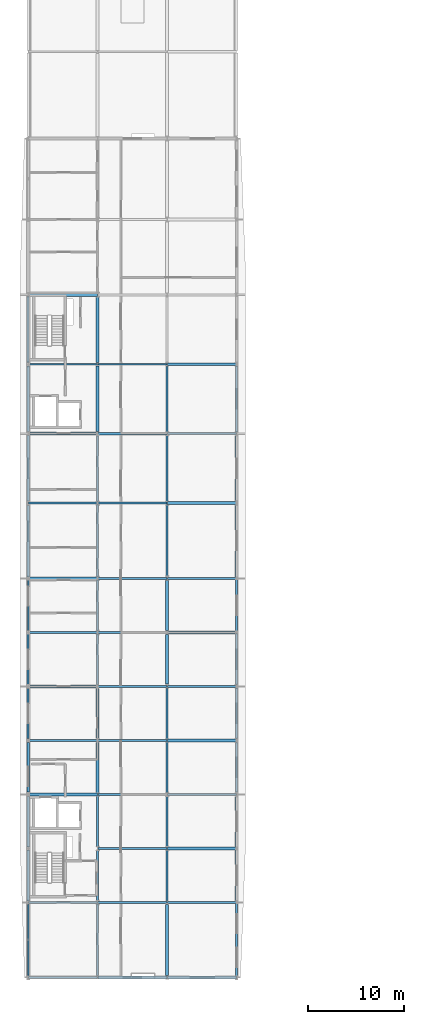
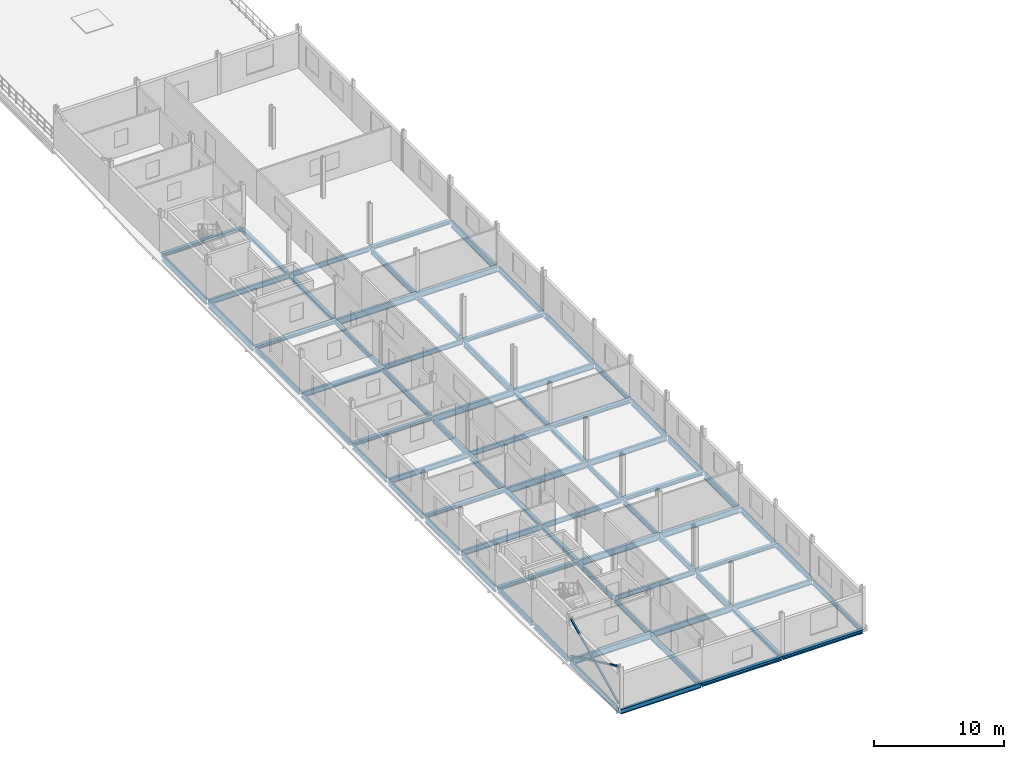
# One storey, part 4 of 17: 75 beams, 3 members.
"""IFC4 building model written with IfcOpenShell, lengths in metres."""

from ifc_helpers import new_model, si_unit, direction, frame, origin, origin_2d, place, context, subcontext, project, spatial, hollow_rectangle, i_section, extrude, material, material_profile, profile_set, type_object, element, save


model = new_model("IFC4")

# Units and contexts
model_context = context("Model", 3, precision=1e-05, world=origin(), true_north=direction((0.0, 1.0)))
body_context = subcontext(model_context, "Body", "Model", "MODEL_VIEW")
ifc_project = project(units=[si_unit("LENGTHUNIT", "METRE"), si_unit("AREAUNIT", "SQUARE_METRE"), si_unit("VOLUMEUNIT", "CUBIC_METRE"), si_unit("PLANEANGLEUNIT", "RADIAN"), si_unit("MASSUNIT", "GRAM", prefix="KILO")], contexts=[model_context])

# Site, building, storey
site_placement = place(None, origin())
site = spatial("IfcSite", under=ifc_project, at=site_placement, CompositionType="ELEMENT")
building_placement = place(site_placement, origin())
building = spatial("IfcBuilding", under=site, at=building_placement, Name="Vinh Khe Railworks Police Headquarters", CompositionType="ELEMENT")
storey_placement = place(building_placement, frame((0.0, 0.0, 24.89990234375)))
storey = spatial("IfcBuildingStorey", under=building, at=storey_placement, Name="L06", CompositionType="ELEMENT", Elevation=24.89990234375)

# Members
ifc_material = material(Name="Steel S355JR", Category="steel")
ifc_material_profile_1 = material_profile(ifc_material, hollow_rectangle(XDim=0.139892578125, YDim=0.139892578125, WallThickness=0.008056640625, at=origin_2d()), Name="SHS 140x140x8")
ifc_profile_set_1 = profile_set([ifc_material_profile_1], Name="Steel S355JR")
member_type = type_object("IfcMemberType", Name="Concentric Brace SHS 140x140x8", PredefinedType="BRACE", material=ifc_profile_set_1)
member_placement = place(storey_placement, frame((0.60009765625, 17.625, 0.2001953125), z_axis=(0.0, 0.90342581024, 0.428744452317), x_axis=(-1.0, 0.0, 0.0)))
element("IfcMember", 1, at=member_placement, inside=storey, type_object=member_type, Name="Continuous Concentric Brace MEM-BR-L06-BR-06-019", PredefinedType="BRACE", context=body_context, shape_type="SweptSolid", body=[
    extrude(hollow_rectangle(XDim=0.139892578125, YDim=0.139892578125, WallThickness=0.008056640625, at=origin_2d()), origin(), (0.0, 0.0, 1.0), 8.163330078125),
])
for number, where, z_axis, x_axis, name in (
    (2, (0.60009765625, 17.625, 3.7001953125), (0.0, 0.903399020794, -0.428800896954), (-1.0, 0.0, 0.0), "Split X-Brace Segment MEM-BR-L06-BR-06-020 (2A)"),
    (3, (0.60009765625, 21.37841796875, 1.9189453125), (0.0, 0.903422611602, -0.428751192239), (-1.0, 0.0, 0.0), "Split X-Brace Segment MEM-BR-L06-BR-06-021 (2B)"),
):
    element("IfcMember", number, at=place(storey_placement, frame(where, z_axis=z_axis, x_axis=x_axis)), inside=storey, type_object=member_type, Name=name, PredefinedType="BRACE", context=body_context, shape_type="SweptSolid", body=[
        extrude(hollow_rectangle(XDim=0.139892578125, YDim=0.139892578125, WallThickness=0.008056640625, at=origin_2d()), origin(), (0.0, 0.0, 1.0), 4.0087890625),
    ])

# Beams
ifc_material_profile_2 = material_profile(ifc_material, i_section(OverallWidth=0.300048828125, OverallDepth=0.330078125, WebThickness=0.009521484375, FlangeThickness=0.0166015625, FilletRadius=0.027099609375, at=origin_2d()), Name="HEA 340")
ifc_profile_set_2 = profile_set([ifc_material_profile_2], Name="Steel S355JR")
beam_type_1 = type_object("IfcBeamType", Name="Steel Girder HEA 340", PredefinedType="BEAM", material=ifc_profile_set_2)
for number, where, z_axis, x_axis, name in (
    (4, (15.02001953125, 17.39990234375, -0.364990234375), (1.0, 0.0, 0.0), (0.0, 1.0, 0.0), "Girder BM-L06-EW-SB-16-1670"),
    (5, (0.6201171875, 36.39990234375, -0.364990234375), (1.0, 0.0, 0.0), (0.0, 1.0, 0.0), "Girder BM-L06-EW-SB-16-1676"),
    (6, (0.6201171875, 47.60009765625, -0.364990234375), (1.0, 0.0, 0.0), (0.0, 1.0, 0.0), "Girder BM-L06-EW-SB-16-1682"),
    (7, (0.6201171875, 58.800048828125, -0.364990234375), (1.0, 0.0, 0.0), (0.0, 1.0, 0.0), "Girder BM-L06-EW-SB-16-1688"),
    (8, (0.6201171875, 73.800048828125, -0.364990234375), (1.0, 0.0, 0.0), (0.0, 1.0, 0.0), "Girder BM-L06-EW-SB-16-1694"),
    (9, (0.6201171875, 88.199951171875, -0.364990234375), (1.0, 0.0, 0.0), (0.0, 1.0, 0.0), "Girder BM-L06-EW-SB-16-1700"),
):
    element("IfcBeam", number, at=place(storey_placement, frame(where, z_axis=z_axis, x_axis=x_axis)), inside=storey, type_object=beam_type_1, Name=name, PredefinedType="BEAM", context=body_context, shape_type="SweptSolid", body=[
        extrude(i_section(OverallWidth=0.300048828125, OverallDepth=0.330078125, WebThickness=0.009521484375, FlangeThickness=0.0166015625, FilletRadius=0.027099609375, at=origin_2d()), origin(), (0.0, 0.0, 1.0), 7.159912109375),
    ])
beam_1_placement = place(storey_placement, frame((0.60009765625, 30.949951171875, -0.364990234375), z_axis=(0.0, 1.0, 0.0), x_axis=(-1.0, 0.0, 0.0)))
element("IfcBeam", 10, at=beam_1_placement, inside=storey, type_object=beam_type_1, Name="Girder BM-L06-NS-SB-16-1748", PredefinedType="BEAM", context=body_context, shape_type="SweptSolid", body=[
    extrude(i_section(OverallWidth=0.300048828125, OverallDepth=0.330078125, WebThickness=0.009521484375, FlangeThickness=0.0166015625, FilletRadius=0.027099609375, at=origin_2d()), origin(), (0.0, 0.0, 1.0), 5.219970703125),
])
beam_2_placement = place(storey_placement, frame((0.60009765625, 66.830078125, -0.364990234375), z_axis=(0.0, 1.0, 0.0), x_axis=(-1.0, 0.0, 0.0)))
element("IfcBeam", 11, at=beam_2_placement, inside=storey, type_object=beam_type_1, Name="Girder BM-L06-NS-SB-16-1754", PredefinedType="BEAM", context=body_context, shape_type="SweptSolid", body=[
    extrude(i_section(OverallWidth=0.300048828125, OverallDepth=0.330078125, WebThickness=0.009521484375, FlangeThickness=0.0166015625, FilletRadius=0.027099609375, at=origin_2d()), origin(), (0.0, 0.0, 1.0), 6.764892578125),
])
beam_3_placement = place(storey_placement, frame((7.800048828125, 42.22998046875, -0.364990234375), z_axis=(0.0, 1.0, 0.0), x_axis=(-1.0, 0.0, 0.0)))
element("IfcBeam", 12, at=beam_3_placement, inside=storey, type_object=beam_type_1, Name="Girder BM-L06-NS-SB-16-1766", PredefinedType="BEAM", context=body_context, shape_type="SweptSolid", body=[
    extrude(i_section(OverallWidth=0.300048828125, OverallDepth=0.330078125, WebThickness=0.009521484375, FlangeThickness=0.0166015625, FilletRadius=0.027099609375, at=origin_2d()), origin(), (0.0, 0.0, 1.0), 5.1650390625),
])
beam_4_placement = place(storey_placement, frame((7.800048828125, 81.205078125, -0.364990234375), z_axis=(0.0, 1.0, 0.0), x_axis=(-1.0, 0.0, 0.0)))
element("IfcBeam", 13, at=beam_4_placement, inside=storey, type_object=beam_type_1, Name="Girder BM-L06-NS-SB-16-1772", PredefinedType="BEAM", context=body_context, shape_type="SweptSolid", body=[
    extrude(i_section(OverallWidth=0.300048828125, OverallDepth=0.330078125, WebThickness=0.009521484375, FlangeThickness=0.0166015625, FilletRadius=0.027099609375, at=origin_2d()), origin(), (0.0, 0.0, 1.0), 6.81494140625),
])
beam_5_placement = place(storey_placement, frame((15.0, 17.6298828125, -0.364990234375), z_axis=(0.0, 1.0, 0.0), x_axis=(-1.0, 0.0, 0.0)))
element("IfcBeam", 14, at=beam_5_placement, inside=storey, type_object=beam_type_1, Name="Girder BM-L06-NS-SB-16-1778", PredefinedType="BEAM", context=body_context, shape_type="SweptSolid", body=[
    extrude(i_section(OverallWidth=0.300048828125, OverallDepth=0.330078125, WebThickness=0.009521484375, FlangeThickness=0.0166015625, FilletRadius=0.027099609375, at=origin_2d()), origin(), (0.0, 0.0, 1.0), 7.365234375),
])
beam_6_placement = place(storey_placement, frame((15.0, 53.405029296875, -0.364990234375), z_axis=(0.0, 1.0, 0.0), x_axis=(-1.0, 0.0, 0.0)))
element("IfcBeam", 15, at=beam_6_placement, inside=storey, type_object=beam_type_1, Name="Girder BM-L06-NS-SB-16-1784", PredefinedType="BEAM", context=body_context, shape_type="SweptSolid", body=[
    extrude(i_section(OverallWidth=0.300048828125, OverallDepth=0.330078125, WebThickness=0.009521484375, FlangeThickness=0.0166015625, FilletRadius=0.027099609375, at=origin_2d()), origin(), (0.0, 0.0, 1.0), 5.215087890625),
])
beam_7_placement = place(storey_placement, frame((22.199951171875, 30.909912109375, -0.364990234375), z_axis=(0.0, 1.0, 0.0), x_axis=(-1.0, 0.0, 0.0)))
element("IfcBeam", 16, at=beam_7_placement, inside=storey, type_object=beam_type_1, Name="Girder BM-L06-NS-SB-16-1796", PredefinedType="BEAM", context=body_context, shape_type="SweptSolid", body=[
    extrude(i_section(OverallWidth=0.300048828125, OverallDepth=0.330078125, WebThickness=0.009521484375, FlangeThickness=0.0166015625, FilletRadius=0.027099609375, at=origin_2d()), origin(), (0.0, 0.0, 1.0), 5.26513671875),
])
beam_8_placement = place(storey_placement, frame((22.199951171875, 66.824951171875, -0.364990234375), z_axis=(0.0, 1.0, 0.0), x_axis=(-1.0, 0.0, 0.0)))
element("IfcBeam", 17, at=beam_8_placement, inside=storey, type_object=beam_type_1, Name="Girder BM-L06-NS-SB-16-1802", PredefinedType="BEAM", context=body_context, shape_type="SweptSolid", body=[
    extrude(i_section(OverallWidth=0.300048828125, OverallDepth=0.330078125, WebThickness=0.009521484375, FlangeThickness=0.0166015625, FilletRadius=0.027099609375, at=origin_2d()), origin(), (0.0, 0.0, 1.0), 6.775146484375),
])
ifc_material_profile_3 = material_profile(ifc_material, i_section(OverallWidth=0.300048828125, OverallDepth=0.35009765625, WebThickness=0.010009765625, FlangeThickness=0.017578125, FilletRadius=0.027099609375, at=origin_2d()), Name="HEA 360")
ifc_profile_set_3 = profile_set([ifc_material_profile_3], Name="Steel S355JR")
beam_type_2 = type_object("IfcBeamType", Name="Steel Girder HEA 360", PredefinedType="BEAM", material=ifc_profile_set_3)
for number, where, z_axis, x_axis, name in (
    (18, (7.820068359375, 17.39990234375, -0.375), (1.0, 0.0, 0.0), (0.0, 1.0, 0.0), "Girder BM-L06-EW-SB-15-1669"),
    (19, (15.02001953125, 30.800048828125, -0.375), (1.0, 0.0, 0.0), (0.0, 1.0, 0.0), "Girder BM-L06-EW-SB-15-1675"),
    (20, (15.02001953125, 42.0, -0.375), (1.0, 0.0, 0.0), (0.0, 1.0, 0.0), "Girder BM-L06-EW-SB-15-1681"),
    (21, (15.02001953125, 53.199951171875, -0.375), (1.0, 0.0, 0.0), (0.0, 1.0, 0.0), "Girder BM-L06-EW-SB-15-1687"),
    (22, (15.02001953125, 66.60009765625, -0.375), (1.0, 0.0, 0.0), (0.0, 1.0, 0.0), "Girder BM-L06-EW-SB-15-1693"),
    (23, (15.02001953125, 81.0, -0.375), (1.0, 0.0, 0.0), (0.0, 1.0, 0.0), "Girder BM-L06-EW-SB-15-1699"),
):
    element("IfcBeam", number, at=place(storey_placement, frame(where, z_axis=z_axis, x_axis=x_axis)), inside=storey, type_object=beam_type_2, Name=name, PredefinedType="BEAM", context=body_context, shape_type="SweptSolid", body=[
        extrude(i_section(OverallWidth=0.300048828125, OverallDepth=0.35009765625, WebThickness=0.010009765625, FlangeThickness=0.017578125, FilletRadius=0.027099609375, at=origin_2d()), origin(), (0.0, 0.0, 1.0), 7.159912109375),
    ])
beam_9_placement = place(storey_placement, frame((0.60009765625, 25.360107421875, -0.375), z_axis=(0.0, 1.0, 0.0), x_axis=(-1.0, 0.0, 0.0)))
element("IfcBeam", 24, at=beam_9_placement, inside=storey, type_object=beam_type_2, Name="Girder BM-L06-NS-SB-15-1747", PredefinedType="BEAM", context=body_context, shape_type="SweptSolid", body=[
    extrude(i_section(OverallWidth=0.300048828125, OverallDepth=0.35009765625, WebThickness=0.010009765625, FlangeThickness=0.017578125, FilletRadius=0.027099609375, at=origin_2d()), origin(), (0.0, 0.0, 1.0), 5.289794921875),
])
beam_10_placement = place(storey_placement, frame((0.60009765625, 58.949951171875, -0.375), z_axis=(0.0, 1.0, 0.0), x_axis=(-1.0, 0.0, 0.0)))
element("IfcBeam", 25, at=beam_10_placement, inside=storey, type_object=beam_type_2, Name="Girder BM-L06-NS-SB-15-1753", PredefinedType="BEAM", context=body_context, shape_type="SweptSolid", body=[
    extrude(i_section(OverallWidth=0.300048828125, OverallDepth=0.35009765625, WebThickness=0.010009765625, FlangeThickness=0.017578125, FilletRadius=0.027099609375, at=origin_2d()), origin(), (0.0, 0.0, 1.0), 7.420166015625),
])
beam_11_placement = place(storey_placement, frame((7.800048828125, 36.550048828125, -0.375), z_axis=(0.0, 1.0, 0.0), x_axis=(-1.0, 0.0, 0.0)))
element("IfcBeam", 26, at=beam_11_placement, inside=storey, type_object=beam_type_2, Name="Girder BM-L06-NS-SB-15-1765", PredefinedType="BEAM", context=body_context, shape_type="SweptSolid", body=[
    extrude(i_section(OverallWidth=0.300048828125, OverallDepth=0.35009765625, WebThickness=0.010009765625, FlangeThickness=0.017578125, FilletRadius=0.027099609375, at=origin_2d()), origin(), (0.0, 0.0, 1.0), 5.219970703125),
])
beam_12_placement = place(storey_placement, frame((7.800048828125, 74.030029296875, -0.375), z_axis=(0.0, 1.0, 0.0), x_axis=(-1.0, 0.0, 0.0)))
element("IfcBeam", 27, at=beam_12_placement, inside=storey, type_object=beam_type_2, Name="Girder BM-L06-NS-SB-15-1771", PredefinedType="BEAM", context=body_context, shape_type="SweptSolid", body=[
    extrude(i_section(OverallWidth=0.300048828125, OverallDepth=0.35009765625, WebThickness=0.010009765625, FlangeThickness=0.017578125, FilletRadius=0.027099609375, at=origin_2d()), origin(), (0.0, 0.0, 1.0), 6.764892578125),
])
beam_13_placement = place(storey_placement, frame((15.0, 47.830078125, -0.375), z_axis=(0.0, 1.0, 0.0), x_axis=(-1.0, 0.0, 0.0)))
element("IfcBeam", 28, at=beam_13_placement, inside=storey, type_object=beam_type_2, Name="Girder BM-L06-NS-SB-15-1783", PredefinedType="BEAM", context=body_context, shape_type="SweptSolid", body=[
    extrude(i_section(OverallWidth=0.300048828125, OverallDepth=0.35009765625, WebThickness=0.010009765625, FlangeThickness=0.017578125, FilletRadius=0.027099609375, at=origin_2d()), origin(), (0.0, 0.0, 1.0), 5.1650390625),
])
beam_14_placement = place(storey_placement, frame((22.199951171875, 25.330078125, -0.375), z_axis=(0.0, 1.0, 0.0), x_axis=(-1.0, 0.0, 0.0)))
element("IfcBeam", 29, at=beam_14_placement, inside=storey, type_object=beam_type_2, Name="Girder BM-L06-NS-SB-15-1795", PredefinedType="BEAM", context=body_context, shape_type="SweptSolid", body=[
    extrude(i_section(OverallWidth=0.300048828125, OverallDepth=0.35009765625, WebThickness=0.010009765625, FlangeThickness=0.017578125, FilletRadius=0.027099609375, at=origin_2d()), origin(), (0.0, 0.0, 1.0), 5.35986328125),
])
beam_15_placement = place(storey_placement, frame((22.199951171875, 58.909912109375, -0.375), z_axis=(0.0, 1.0, 0.0), x_axis=(-1.0, 0.0, 0.0)))
element("IfcBeam", 30, at=beam_15_placement, inside=storey, type_object=beam_type_2, Name="Girder BM-L06-NS-SB-15-1801", PredefinedType="BEAM", context=body_context, shape_type="SweptSolid", body=[
    extrude(i_section(OverallWidth=0.300048828125, OverallDepth=0.35009765625, WebThickness=0.010009765625, FlangeThickness=0.017578125, FilletRadius=0.027099609375, at=origin_2d()), origin(), (0.0, 0.0, 1.0), 7.465087890625),
])
ifc_material_profile_4 = material_profile(ifc_material, i_section(OverallWidth=0.18994140625, OverallDepth=0.449951171875, WebThickness=0.009521484375, FlangeThickness=0.0146484375, FilletRadius=0.02099609375, at=origin_2d()), Name="IPE 450")
ifc_profile_set_4 = profile_set([ifc_material_profile_4], Name="Steel S355JR")
beam_type_3 = type_object("IfcBeamType", Name="Steel Girder IPE 450", PredefinedType="BEAM", material=ifc_profile_set_4)
for number, where, z_axis, x_axis, name in (
    (31, (0.6201171875, 17.39990234375, -0.4248046875), (1.0, 0.0, 0.0), (0.0, 1.0, 0.0), "Girder BM-L06-EW-SB-20-1668"),
    (32, (7.820068359375, 30.800048828125, -0.4248046875), (1.0, 0.0, 0.0), (0.0, 1.0, 0.0), "Girder BM-L06-EW-SB-20-1674"),
    (33, (7.820068359375, 42.0, -0.4248046875), (1.0, 0.0, 0.0), (0.0, 1.0, 0.0), "Girder BM-L06-EW-SB-20-1680"),
    (34, (7.820068359375, 53.199951171875, -0.4248046875), (1.0, 0.0, 0.0), (0.0, 1.0, 0.0), "Girder BM-L06-EW-SB-20-1686"),
    (35, (7.820068359375, 66.60009765625, -0.4248046875), (1.0, 0.0, 0.0), (0.0, 1.0, 0.0), "Girder BM-L06-EW-SB-20-1692"),
    (36, (7.820068359375, 81.0, -0.4248046875), (1.0, 0.0, 0.0), (0.0, 1.0, 0.0), "Girder BM-L06-EW-SB-20-1698"),
):
    element("IfcBeam", number, at=place(storey_placement, frame(where, z_axis=z_axis, x_axis=x_axis)), inside=storey, type_object=beam_type_3, Name=name, PredefinedType="BEAM", context=body_context, shape_type="SweptSolid", body=[
        extrude(i_section(OverallWidth=0.18994140625, OverallDepth=0.449951171875, WebThickness=0.009521484375, FlangeThickness=0.0146484375, FilletRadius=0.02099609375, at=origin_2d()), origin(), (0.0, 0.0, 1.0), 7.159912109375),
    ])
beam_16_placement = place(storey_placement, frame((0.60009765625, 17.580078125, -0.4248046875), z_axis=(0.0, 1.0, 0.0), x_axis=(-1.0, 0.0, 0.0)))
element("IfcBeam", 37, at=beam_16_placement, inside=storey, type_object=beam_type_3, Name="Girder BM-L06-NS-SB-20-1746", PredefinedType="BEAM", context=body_context, shape_type="SweptSolid", body=[
    extrude(i_section(OverallWidth=0.18994140625, OverallDepth=0.449951171875, WebThickness=0.009521484375, FlangeThickness=0.0146484375, FilletRadius=0.02099609375, at=origin_2d()), origin(), (0.0, 0.0, 1.0), 7.4599609375),
])
beam_17_placement = place(storey_placement, frame((0.60009765625, 53.360107421875, -0.4248046875), z_axis=(0.0, 1.0, 0.0), x_axis=(-1.0, 0.0, 0.0)))
element("IfcBeam", 38, at=beam_17_placement, inside=storey, type_object=beam_type_3, Name="Girder BM-L06-NS-SB-20-1752", PredefinedType="BEAM", context=body_context, shape_type="SweptSolid", body=[
    extrude(i_section(OverallWidth=0.18994140625, OverallDepth=0.449951171875, WebThickness=0.009521484375, FlangeThickness=0.0146484375, FilletRadius=0.02099609375, at=origin_2d()), origin(), (0.0, 0.0, 1.0), 5.289794921875),
])
beam_18_placement = place(storey_placement, frame((7.800048828125, 30.9599609375, -0.4248046875), z_axis=(0.0, 1.0, 0.0), x_axis=(-1.0, 0.0, 0.0)))
element("IfcBeam", 39, at=beam_18_placement, inside=storey, type_object=beam_type_3, Name="Girder BM-L06-NS-SB-20-1764", PredefinedType="BEAM", context=body_context, shape_type="SweptSolid", body=[
    extrude(i_section(OverallWidth=0.18994140625, OverallDepth=0.449951171875, WebThickness=0.009521484375, FlangeThickness=0.0146484375, FilletRadius=0.02099609375, at=origin_2d()), origin(), (0.0, 0.0, 1.0), 5.2900390625),
])
beam_19_placement = place(storey_placement, frame((7.800048828125, 66.75, -0.4248046875), z_axis=(0.0, 1.0, 0.0), x_axis=(-1.0, 0.0, 0.0)))
element("IfcBeam", 40, at=beam_19_placement, inside=storey, type_object=beam_type_3, Name="Girder BM-L06-NS-SB-20-1770", PredefinedType="BEAM", context=body_context, shape_type="SweptSolid", body=[
    extrude(i_section(OverallWidth=0.18994140625, OverallDepth=0.449951171875, WebThickness=0.009521484375, FlangeThickness=0.0146484375, FilletRadius=0.02099609375, at=origin_2d()), origin(), (0.0, 0.0, 1.0), 6.820068359375),
])
beam_20_placement = place(storey_placement, frame((15.0, 42.14990234375, -0.4248046875), z_axis=(0.0, 1.0, 0.0), x_axis=(-1.0, 0.0, 0.0)))
element("IfcBeam", 41, at=beam_20_placement, inside=storey, type_object=beam_type_3, Name="Girder BM-L06-NS-SB-20-1782", PredefinedType="BEAM", context=body_context, shape_type="SweptSolid", body=[
    extrude(i_section(OverallWidth=0.18994140625, OverallDepth=0.449951171875, WebThickness=0.009521484375, FlangeThickness=0.0146484375, FilletRadius=0.02099609375, at=origin_2d()), origin(), (0.0, 0.0, 1.0), 5.22021484375),
])
beam_21_placement = place(storey_placement, frame((22.199951171875, 17.574951171875, -0.4248046875), z_axis=(0.0, 1.0, 0.0), x_axis=(-1.0, 0.0, 0.0)))
element("IfcBeam", 42, at=beam_21_placement, inside=storey, type_object=beam_type_3, Name="Girder BM-L06-NS-SB-20-1794", PredefinedType="BEAM", context=body_context, shape_type="SweptSolid", body=[
    extrude(i_section(OverallWidth=0.18994140625, OverallDepth=0.449951171875, WebThickness=0.009521484375, FlangeThickness=0.0146484375, FilletRadius=0.02099609375, at=origin_2d()), origin(), (0.0, 0.0, 1.0), 7.4951171875),
])
beam_22_placement = place(storey_placement, frame((22.199951171875, 53.330078125, -0.4248046875), z_axis=(0.0, 1.0, 0.0), x_axis=(-1.0, 0.0, 0.0)))
element("IfcBeam", 43, at=beam_22_placement, inside=storey, type_object=beam_type_3, Name="Girder BM-L06-NS-SB-20-1800", PredefinedType="BEAM", context=body_context, shape_type="SweptSolid", body=[
    extrude(i_section(OverallWidth=0.18994140625, OverallDepth=0.449951171875, WebThickness=0.009521484375, FlangeThickness=0.0146484375, FilletRadius=0.02099609375, at=origin_2d()), origin(), (0.0, 0.0, 1.0), 5.35986328125),
])
ifc_material_profile_5 = material_profile(ifc_material, i_section(OverallWidth=0.199951171875, OverallDepth=0.5, WebThickness=0.01025390625, FlangeThickness=0.01611328125, FilletRadius=0.02099609375, at=origin_2d()), Name="IPE 500")
ifc_profile_set_5 = profile_set([ifc_material_profile_5], Name="Steel S355JR")
beam_type_4 = type_object("IfcBeamType", Name="Steel Girder IPE 500", PredefinedType="BEAM", material=ifc_profile_set_5)
for number, where, z_axis, x_axis, name in (
    (44, (15.02001953125, 25.199951171875, -0.449951171875), (1.0, 0.0, 0.0), (0.0, 1.0, 0.0), "Girder BM-L06-EW-SB-19-1673"),
    (45, (0.6201171875, 42.0, -0.449951171875), (1.0, 0.0, 0.0), (0.0, 1.0, 0.0), "Girder BM-L06-EW-SB-19-1679"),
    (46, (0.6201171875, 53.199951171875, -0.449951171875), (1.0, 0.0, 0.0), (0.0, 1.0, 0.0), "Girder BM-L06-EW-SB-19-1685"),
    (47, (0.6201171875, 66.60009765625, -0.449951171875), (1.0, 0.0, 0.0), (0.0, 1.0, 0.0), "Girder BM-L06-EW-SB-19-1691"),
    (48, (0.6201171875, 81.0, -0.449951171875), (1.0, 0.0, 0.0), (0.0, 1.0, 0.0), "Girder BM-L06-EW-SB-19-1697"),
):
    element("IfcBeam", number, at=place(storey_placement, frame(where, z_axis=z_axis, x_axis=x_axis)), inside=storey, type_object=beam_type_4, Name=name, PredefinedType="BEAM", context=body_context, shape_type="SweptSolid", body=[
        extrude(i_section(OverallWidth=0.199951171875, OverallDepth=0.5, WebThickness=0.01025390625, FlangeThickness=0.01611328125, FilletRadius=0.02099609375, at=origin_2d()), origin(), (0.0, 0.0, 1.0), 7.159912109375),
    ])
for number, where, z_axis, x_axis, name in (
    (49, (0.60009765625, 47.780029296875, -0.449951171875), (0.0, 1.0, 0.0), (-1.0, 0.0, 0.0), "Girder BM-L06-NS-SB-19-1751"),
    (50, (7.800048828125, 25.3798828125, -0.449951171875), (0.0, 1.0, 0.0), (-1.0, 0.0, 0.0), "Girder BM-L06-NS-SB-19-1763"),
):
    element("IfcBeam", number, at=place(storey_placement, frame(where, z_axis=z_axis, x_axis=x_axis)), inside=storey, type_object=beam_type_4, Name=name, PredefinedType="BEAM", context=body_context, shape_type="SweptSolid", body=[
        extrude(i_section(OverallWidth=0.199951171875, OverallDepth=0.5, WebThickness=0.01025390625, FlangeThickness=0.01611328125, FilletRadius=0.02099609375, at=origin_2d()), origin(), (0.0, 0.0, 1.0), 5.260009765625),
    ])
beam_23_placement = place(storey_placement, frame((7.800048828125, 58.9599609375, -0.449951171875), z_axis=(0.0, 1.0, 0.0), x_axis=(-1.0, 0.0, 0.0)))
element("IfcBeam", 51, at=beam_23_placement, inside=storey, type_object=beam_type_4, Name="Girder BM-L06-NS-SB-19-1769", PredefinedType="BEAM", context=body_context, shape_type="SweptSolid", body=[
    extrude(i_section(OverallWidth=0.199951171875, OverallDepth=0.5, WebThickness=0.01025390625, FlangeThickness=0.01611328125, FilletRadius=0.02099609375, at=origin_2d()), origin(), (0.0, 0.0, 1.0), 7.489990234375),
])
beam_24_placement = place(storey_placement, frame((15.0, 36.56005859375, -0.449951171875), z_axis=(0.0, 1.0, 0.0), x_axis=(-1.0, 0.0, 0.0)))
element("IfcBeam", 52, at=beam_24_placement, inside=storey, type_object=beam_type_4, Name="Girder BM-L06-NS-SB-19-1781", PredefinedType="BEAM", context=body_context, shape_type="SweptSolid", body=[
    extrude(i_section(OverallWidth=0.199951171875, OverallDepth=0.5, WebThickness=0.01025390625, FlangeThickness=0.01611328125, FilletRadius=0.02099609375, at=origin_2d()), origin(), (0.0, 0.0, 1.0), 5.2900390625),
])
beam_25_placement = place(storey_placement, frame((15.0, 73.949951171875, -0.449951171875), z_axis=(0.0, 1.0, 0.0), x_axis=(-1.0, 0.0, 0.0)))
element("IfcBeam", 53, at=beam_25_placement, inside=storey, type_object=beam_type_4, Name="Girder BM-L06-NS-SB-19-1787", PredefinedType="BEAM", context=body_context, shape_type="SweptSolid", body=[
    extrude(i_section(OverallWidth=0.199951171875, OverallDepth=0.5, WebThickness=0.01025390625, FlangeThickness=0.01611328125, FilletRadius=0.02099609375, at=origin_2d()), origin(), (0.0, 0.0, 1.0), 6.820068359375),
])
beam_26_placement = place(storey_placement, frame((22.199951171875, 47.77490234375, -0.449951171875), z_axis=(0.0, 1.0, 0.0), x_axis=(-1.0, 0.0, 0.0)))
element("IfcBeam", 54, at=beam_26_placement, inside=storey, type_object=beam_type_4, Name="Girder BM-L06-NS-SB-19-1799", PredefinedType="BEAM", context=body_context, shape_type="SweptSolid", body=[
    extrude(i_section(OverallWidth=0.199951171875, OverallDepth=0.5, WebThickness=0.01025390625, FlangeThickness=0.01611328125, FilletRadius=0.02099609375, at=origin_2d()), origin(), (0.0, 0.0, 1.0), 5.295166015625),
])
ifc_material_profile_6 = material_profile(ifc_material, i_section(OverallWidth=0.2099609375, OverallDepth=0.550048828125, WebThickness=0.010986328125, FlangeThickness=0.01708984375, FilletRadius=0.02392578125, at=origin_2d()), Name="IPE 550")
ifc_profile_set_6 = profile_set([ifc_material_profile_6], Name="Steel S355JR")
beam_type_5 = type_object("IfcBeamType", Name="Steel Girder IPE 550", PredefinedType="BEAM", material=ifc_profile_set_6)
for number, where, z_axis, x_axis, name in (
    (55, (7.820068359375, 25.199951171875, -0.474853515625), (1.0, 0.0, 0.0), (0.0, 1.0, 0.0), "Girder BM-L06-EW-SB-18-1672"),
    (56, (15.02001953125, 36.39990234375, -0.474853515625), (1.0, 0.0, 0.0), (0.0, 1.0, 0.0), "Girder BM-L06-EW-SB-18-1678"),
    (57, (15.02001953125, 47.60009765625, -0.474853515625), (1.0, 0.0, 0.0), (0.0, 1.0, 0.0), "Girder BM-L06-EW-SB-18-1684"),
    (58, (15.02001953125, 58.800048828125, -0.474853515625), (1.0, 0.0, 0.0), (0.0, 1.0, 0.0), "Girder BM-L06-EW-SB-18-1690"),
    (59, (15.02001953125, 73.800048828125, -0.474853515625), (1.0, 0.0, 0.0), (0.0, 1.0, 0.0), "Girder BM-L06-EW-SB-18-1696"),
):
    element("IfcBeam", number, at=place(storey_placement, frame(where, z_axis=z_axis, x_axis=x_axis)), inside=storey, type_object=beam_type_5, Name=name, PredefinedType="BEAM", context=body_context, shape_type="SweptSolid", body=[
        extrude(i_section(OverallWidth=0.2099609375, OverallDepth=0.550048828125, WebThickness=0.010986328125, FlangeThickness=0.01708984375, FilletRadius=0.02392578125, at=origin_2d()), origin(), (0.0, 0.0, 1.0), 7.159912109375),
    ])
beam_27_placement = place(storey_placement, frame((0.60009765625, 42.205078125, -0.474853515625), z_axis=(0.0, 1.0, 0.0), x_axis=(-1.0, 0.0, 0.0)))
element("IfcBeam", 60, at=beam_27_placement, inside=storey, type_object=beam_type_5, Name="Girder BM-L06-NS-SB-18-1750", PredefinedType="BEAM", context=body_context, shape_type="SweptSolid", body=[
    extrude(i_section(OverallWidth=0.2099609375, OverallDepth=0.550048828125, WebThickness=0.010986328125, FlangeThickness=0.01708984375, FilletRadius=0.02392578125, at=origin_2d()), origin(), (0.0, 0.0, 1.0), 5.21484375),
])
beam_28_placement = place(storey_placement, frame((0.60009765625, 81.179931640625, -0.474853515625), z_axis=(0.0, 1.0, 0.0), x_axis=(-1.0, 0.0, 0.0)))
element("IfcBeam", 61, at=beam_28_placement, inside=storey, type_object=beam_type_5, Name="Girder BM-L06-NS-SB-18-1756", PredefinedType="BEAM", context=body_context, shape_type="SweptSolid", body=[
    extrude(i_section(OverallWidth=0.2099609375, OverallDepth=0.550048828125, WebThickness=0.010986328125, FlangeThickness=0.01708984375, FilletRadius=0.02392578125, at=origin_2d()), origin(), (0.0, 0.0, 1.0), 6.860107421875),
])
beam_29_placement = place(storey_placement, frame((7.800048828125, 17.60498046875, -0.474853515625), z_axis=(0.0, 1.0, 0.0), x_axis=(-1.0, 0.0, 0.0)))
element("IfcBeam", 62, at=beam_29_placement, inside=storey, type_object=beam_type_5, Name="Girder BM-L06-NS-SB-18-1762", PredefinedType="BEAM", context=body_context, shape_type="SweptSolid", body=[
    extrude(i_section(OverallWidth=0.2099609375, OverallDepth=0.550048828125, WebThickness=0.010986328125, FlangeThickness=0.01708984375, FilletRadius=0.02392578125, at=origin_2d()), origin(), (0.0, 0.0, 1.0), 7.4150390625),
])
for number, where, z_axis, x_axis, name in (
    (63, (7.800048828125, 53.3798828125, -0.474853515625), (0.0, 1.0, 0.0), (-1.0, 0.0, 0.0), "Girder BM-L06-NS-SB-18-1768"),
    (64, (15.0, 30.97998046875, -0.474853515625), (0.0, 1.0, 0.0), (-1.0, 0.0, 0.0), "Girder BM-L06-NS-SB-18-1780"),
):
    element("IfcBeam", number, at=place(storey_placement, frame(where, z_axis=z_axis, x_axis=x_axis)), inside=storey, type_object=beam_type_5, Name=name, PredefinedType="BEAM", context=body_context, shape_type="SweptSolid", body=[
        extrude(i_section(OverallWidth=0.2099609375, OverallDepth=0.550048828125, WebThickness=0.010986328125, FlangeThickness=0.01708984375, FilletRadius=0.02392578125, at=origin_2d()), origin(), (0.0, 0.0, 1.0), 5.260009765625),
    ])
beam_30_placement = place(storey_placement, frame((15.0, 66.760009765625, -0.474853515625), z_axis=(0.0, 1.0, 0.0), x_axis=(-1.0, 0.0, 0.0)))
element("IfcBeam", 65, at=beam_30_placement, inside=storey, type_object=beam_type_5, Name="Girder BM-L06-NS-SB-18-1786", PredefinedType="BEAM", context=body_context, shape_type="SweptSolid", body=[
    extrude(i_section(OverallWidth=0.2099609375, OverallDepth=0.550048828125, WebThickness=0.010986328125, FlangeThickness=0.01708984375, FilletRadius=0.02392578125, at=origin_2d()), origin(), (0.0, 0.0, 1.0), 6.889892578125),
])
beam_31_placement = place(storey_placement, frame((22.199951171875, 42.199951171875, -0.474853515625), z_axis=(0.0, 1.0, 0.0), x_axis=(-1.0, 0.0, 0.0)))
element("IfcBeam", 66, at=beam_31_placement, inside=storey, type_object=beam_type_5, Name="Girder BM-L06-NS-SB-18-1798", PredefinedType="BEAM", context=body_context, shape_type="SweptSolid", body=[
    extrude(i_section(OverallWidth=0.2099609375, OverallDepth=0.550048828125, WebThickness=0.010986328125, FlangeThickness=0.01708984375, FilletRadius=0.02392578125, at=origin_2d()), origin(), (0.0, 0.0, 1.0), 5.22509765625),
])
ifc_material_profile_7 = material_profile(ifc_material, i_section(OverallWidth=0.219970703125, OverallDepth=0.60009765625, WebThickness=0.011962890625, FlangeThickness=0.01904296875, FilletRadius=0.02392578125, at=origin_2d()), Name="IPE 600")
ifc_profile_set_7 = profile_set([ifc_material_profile_7], Name="Steel S355JR")
beam_type_6 = type_object("IfcBeamType", Name="Steel Girder IPE 600", PredefinedType="BEAM", material=ifc_profile_set_7)
for number, where, z_axis, x_axis, name in (
    (67, (0.6201171875, 25.199951171875, -0.5), (1.0, 0.0, 0.0), (0.0, 1.0, 0.0), "Girder BM-L06-EW-SB-17-1671"),
    (68, (7.820068359375, 36.39990234375, -0.5), (1.0, 0.0, 0.0), (0.0, 1.0, 0.0), "Girder BM-L06-EW-SB-17-1677"),
    (69, (7.820068359375, 47.60009765625, -0.5), (1.0, 0.0, 0.0), (0.0, 1.0, 0.0), "Girder BM-L06-EW-SB-17-1683"),
    (70, (7.820068359375, 58.800048828125, -0.5), (1.0, 0.0, 0.0), (0.0, 1.0, 0.0), "Girder BM-L06-EW-SB-17-1689"),
    (71, (7.820068359375, 73.800048828125, -0.5), (1.0, 0.0, 0.0), (0.0, 1.0, 0.0), "Girder BM-L06-EW-SB-17-1695"),
):
    element("IfcBeam", number, at=place(storey_placement, frame(where, z_axis=z_axis, x_axis=x_axis)), inside=storey, type_object=beam_type_6, Name=name, PredefinedType="BEAM", context=body_context, shape_type="SweptSolid", body=[
        extrude(i_section(OverallWidth=0.219970703125, OverallDepth=0.60009765625, WebThickness=0.011962890625, FlangeThickness=0.01904296875, FilletRadius=0.02392578125, at=origin_2d()), origin(), (0.0, 0.0, 1.0), 7.159912109375),
    ])
beam_32_placement = place(storey_placement, frame((0.60009765625, 36.6298828125, -0.5), z_axis=(0.0, 1.0, 0.0), x_axis=(-1.0, 0.0, 0.0)))
element("IfcBeam", 72, at=beam_32_placement, inside=storey, type_object=beam_type_6, Name="Girder BM-L06-NS-SB-17-1749", PredefinedType="BEAM", context=body_context, shape_type="SweptSolid", body=[
    extrude(i_section(OverallWidth=0.219970703125, OverallDepth=0.60009765625, WebThickness=0.011962890625, FlangeThickness=0.01904296875, FilletRadius=0.02392578125, at=origin_2d()), origin(), (0.0, 0.0, 1.0), 5.1650390625),
])
beam_33_placement = place(storey_placement, frame((0.60009765625, 74.0048828125, -0.5), z_axis=(0.0, 1.0, 0.0), x_axis=(-1.0, 0.0, 0.0)))
element("IfcBeam", 73, at=beam_33_placement, inside=storey, type_object=beam_type_6, Name="Girder BM-L06-NS-SB-17-1755", PredefinedType="BEAM", context=body_context, shape_type="SweptSolid", body=[
    extrude(i_section(OverallWidth=0.219970703125, OverallDepth=0.60009765625, WebThickness=0.011962890625, FlangeThickness=0.01904296875, FilletRadius=0.02392578125, at=origin_2d()), origin(), (0.0, 0.0, 1.0), 6.815185546875),
])
for number, where, z_axis, x_axis, name in (
    (74, (7.800048828125, 47.804931640625, -0.5), (0.0, 1.0, 0.0), (-1.0, 0.0, 0.0), "Girder BM-L06-NS-SB-17-1767"),
    (75, (15.0, 25.405029296875, -0.5), (0.0, 1.0, 0.0), (-1.0, 0.0, 0.0), "Girder BM-L06-NS-SB-17-1779"),
):
    element("IfcBeam", number, at=place(storey_placement, frame(where, z_axis=z_axis, x_axis=x_axis)), inside=storey, type_object=beam_type_6, Name=name, PredefinedType="BEAM", context=body_context, shape_type="SweptSolid", body=[
        extrude(i_section(OverallWidth=0.219970703125, OverallDepth=0.60009765625, WebThickness=0.011962890625, FlangeThickness=0.01904296875, FilletRadius=0.02392578125, at=origin_2d()), origin(), (0.0, 0.0, 1.0), 5.215087890625),
    ])
beam_34_placement = place(storey_placement, frame((15.0, 58.97998046875, -0.5), z_axis=(0.0, 1.0, 0.0), x_axis=(-1.0, 0.0, 0.0)))
element("IfcBeam", 76, at=beam_34_placement, inside=storey, type_object=beam_type_6, Name="Girder BM-L06-NS-SB-17-1785", PredefinedType="BEAM", context=body_context, shape_type="SweptSolid", body=[
    extrude(i_section(OverallWidth=0.219970703125, OverallDepth=0.60009765625, WebThickness=0.011962890625, FlangeThickness=0.01904296875, FilletRadius=0.02392578125, at=origin_2d()), origin(), (0.0, 0.0, 1.0), 7.4599609375),
])
beam_35_placement = place(storey_placement, frame((22.199951171875, 36.625, -0.5), z_axis=(0.0, 1.0, 0.0), x_axis=(-1.0, 0.0, 0.0)))
element("IfcBeam", 77, at=beam_35_placement, inside=storey, type_object=beam_type_6, Name="Girder BM-L06-NS-SB-17-1797", PredefinedType="BEAM", context=body_context, shape_type="SweptSolid", body=[
    extrude(i_section(OverallWidth=0.219970703125, OverallDepth=0.60009765625, WebThickness=0.011962890625, FlangeThickness=0.01904296875, FilletRadius=0.02392578125, at=origin_2d()), origin(), (0.0, 0.0, 1.0), 5.175048828125),
])
beam_36_placement = place(storey_placement, frame((22.199951171875, 74.0, -0.5), z_axis=(0.0, 1.0, 0.0), x_axis=(-1.0, 0.0, 0.0)))
element("IfcBeam", 78, at=beam_36_placement, inside=storey, type_object=beam_type_6, Name="Girder BM-L06-NS-SB-17-1803", PredefinedType="BEAM", context=body_context, shape_type="SweptSolid", body=[
    extrude(i_section(OverallWidth=0.219970703125, OverallDepth=0.60009765625, WebThickness=0.011962890625, FlangeThickness=0.01904296875, FilletRadius=0.02392578125, at=origin_2d()), origin(), (0.0, 0.0, 1.0), 6.824951171875),
])

save(model, "model.ifc")
